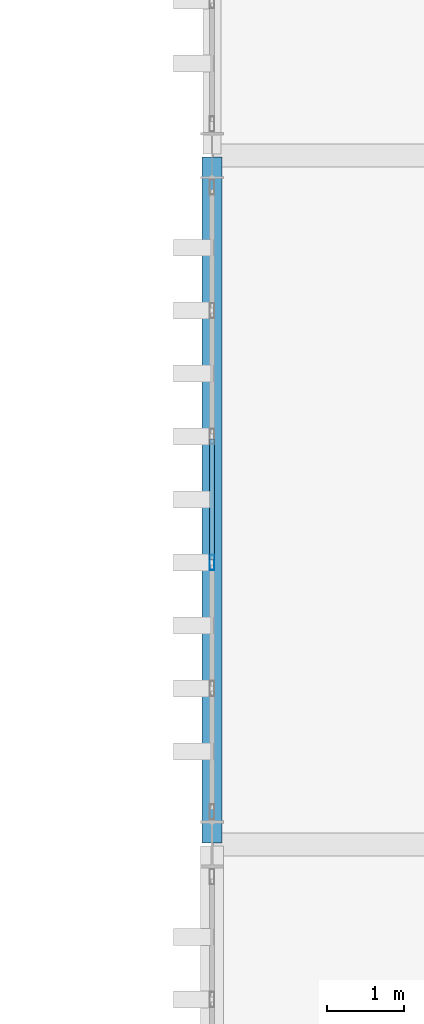
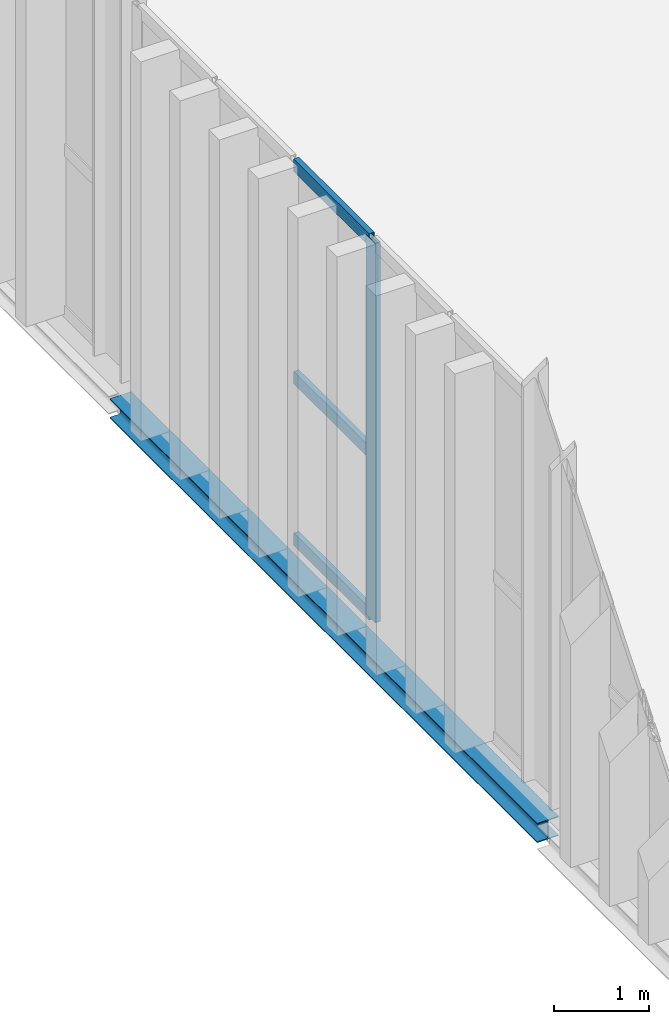
# One storey, part 77 of 237: 4 members, 1 beam, 1 element without a shape of its own.
"""IFC4 building model written with IfcOpenShell, lengths in metres."""

from ifc_helpers import new_model, si_unit, direction, frame, origin, origin_2d, place, context, subcontext, project, spatial, hollow_rectangle, i_section, extrude, material, layer, layer_set, material_profile, profile_set, type_object, element, aggregate, save


model = new_model("IFC4")

# Units and contexts
model_context = context("Model", 3, precision=1e-05, world=origin(), true_north=direction((0.0, 1.0)))
body_context = subcontext(model_context, "Body", "Model", "MODEL_VIEW")
ifc_project = project(units=[si_unit("LENGTHUNIT", "METRE"), si_unit("AREAUNIT", "SQUARE_METRE"), si_unit("VOLUMEUNIT", "CUBIC_METRE"), si_unit("PLANEANGLEUNIT", "RADIAN"), si_unit("MASSUNIT", "GRAM", prefix="KILO")], contexts=[model_context])

# Site, building, storey
site_placement = place(None, origin())
site = spatial("IfcSite", under=ifc_project, at=site_placement, CompositionType="ELEMENT")
building_placement = place(site_placement, origin())
building = spatial("IfcBuilding", under=site, at=building_placement, Name="Barlavento Convention Centre", CompositionType="ELEMENT")
storey_placement = place(building_placement, frame((0.0, 0.0, 12.0)))
storey = spatial("IfcBuildingStorey", under=building, at=storey_placement, Name="L02", CompositionType="ELEMENT", Elevation=12.0)

# Curtain wall, members
ifc_material_1 = material(Name="Powder-coated aluminium and Low-E glass", Category="aluminium")
ifc_layer = layer(ifc_material_1, 0.195068359375)
ifc_layer_set = layer_set([ifc_layer], Name="ARC-CW-BALL-L02")
curtain_wall_type = type_object("IfcCurtainWallType", Name="ARC-CW-BALL-L02", PredefinedType="NOTDEFINED", material=ifc_layer_set)
curtain_wall_placement = place(storey_placement, origin())
curtain_wall = element("IfcCurtainWall", 1, at=curtain_wall_placement, inside=storey, type_object=curtain_wall_type, Name="L02 unitised curtain wall CW07", PredefinedType="NOTDEFINED")
ifc_material_2 = material(Name="Powder-coated aluminium", Category="aluminium")
ifc_material_profile_1 = material_profile(ifc_material_2, hollow_rectangle(XDim=0.06494140625, YDim=0.199951171875, WallThickness=0.0048828125, at=origin_2d()), Name="AL-MULL 65x200x5")
ifc_profile_set_1 = profile_set([ifc_material_profile_1], Name="Powder-coated aluminium")
member_type_1 = type_object("IfcMemberType", Name="ARC-CWM-65X200", PredefinedType="MULLION", material=ifc_profile_set_1)
member_1_placement = place(storey_placement, frame((126.0, 30.681884765625, 0.0), z_axis=(0.0, 0.0, 1.0), x_axis=(-1.0, 0.0, 0.0)))
member_1 = element("IfcMember", 2, at=member_1_placement, type_object=member_type_1, Name="CW07 mullion 3", PredefinedType="MULLION", context=body_context, shape_type="SweptSolid", body=[
    extrude(hollow_rectangle(XDim=0.06494140625, YDim=0.199951171875, WallThickness=0.0048828125, at=origin_2d()), origin(), (0.0, 0.0, 1.0), 4.85009765625),
])
ifc_material_profile_2 = material_profile(ifc_material_2, hollow_rectangle(XDim=0.06494140625, YDim=0.159912109375, WallThickness=0.0048828125, at=origin_2d()), Name="AL-TRAN 65x160x5")
ifc_profile_set_2 = profile_set([ifc_material_profile_2], Name="Powder-coated aluminium")
member_type_2 = type_object("IfcMemberType", Name="ARC-CWT-65X160", PredefinedType="USERDEFINED", material=ifc_profile_set_2)
member_2_placement = place(storey_placement, frame((126.0, 30.714599609375, 0.032470703125), z_axis=(0.0, 1.0, 0.0), x_axis=(-1.0, 0.0, 0.0)))
member_2 = element("IfcMember", 3, at=member_2_placement, type_object=member_type_2, Name="CW07 transom 3.1", ObjectType="TRANSOM", PredefinedType="USERDEFINED", context=body_context, shape_type="SweptSolid", body=[
    extrude(hollow_rectangle(XDim=0.06494140625, YDim=0.159912109375, WallThickness=0.0048828125, at=origin_2d()), origin(), (0.0, 0.0, 1.0), 1.580810546875),
])
member_3_placement = place(storey_placement, frame((126.0, 30.714599609375, 2.10009765625), z_axis=(0.0, 1.0, 0.0), x_axis=(-1.0, 0.0, 0.0)))
member_3 = element("IfcMember", 4, at=member_3_placement, type_object=member_type_2, Name="CW07 transom 3.2", ObjectType="TRANSOM", PredefinedType="USERDEFINED", context=body_context, shape_type="SweptSolid", body=[
    extrude(hollow_rectangle(XDim=0.06494140625, YDim=0.159912109375, WallThickness=0.0048828125, at=origin_2d()), origin(), (0.0, 0.0, 1.0), 1.580810546875),
])
member_4_placement = place(storey_placement, frame((126.0, 30.714599609375, 4.8173828125), z_axis=(0.0, 1.0, 0.0), x_axis=(-1.0, 0.0, 0.0)))
member_4 = element("IfcMember", 5, at=member_4_placement, type_object=member_type_2, Name="CW07 transom 3.3", ObjectType="TRANSOM", PredefinedType="USERDEFINED", context=body_context, shape_type="SweptSolid", body=[
    extrude(hollow_rectangle(XDim=0.06494140625, YDim=0.159912109375, WallThickness=0.0048828125, at=origin_2d()), origin(), (0.0, 0.0, 1.0), 1.580810546875),
])
aggregate(curtain_wall, [member_1, member_2, member_3, member_4])

# Beam
ifc_material_3 = material(Name="Steel S355", Category="steel")
ifc_material_profile_3 = material_profile(ifc_material_3, i_section(OverallWidth=0.260009765625, OverallDepth=0.25, WebThickness=0.007568359375, FlangeThickness=0.012451171875, FilletRadius=0.02392578125, at=origin_2d()), Name="HEA 260")
ifc_profile_set_3 = profile_set([ifc_material_profile_3], Name="Steel S355")
beam_type = type_object("IfcBeamType", Name="STR-BM-SPN-HEA260", PredefinedType="SPANDREL", material=ifc_profile_set_3)
beam_placement = place(storey_placement, frame((126.0, 27.02001953125, -0.4951171875), z_axis=(0.0, 1.0, 0.0), x_axis=(-1.0, 0.0, 0.0)))
element("IfcBeam", 6, at=beam_placement, inside=storey, type_object=beam_type, Name="L02 grid girder SP04", PredefinedType="SPANDREL", context=body_context, shape_type="SweptSolid", body=[
    extrude(i_section(OverallWidth=0.260009765625, OverallDepth=0.25, WebThickness=0.007568359375, FlangeThickness=0.012451171875, FilletRadius=0.02392578125, at=origin_2d()), origin(), (0.0, 0.0, 1.0), 8.9599609375),
])

save(model, "model.ifc")
